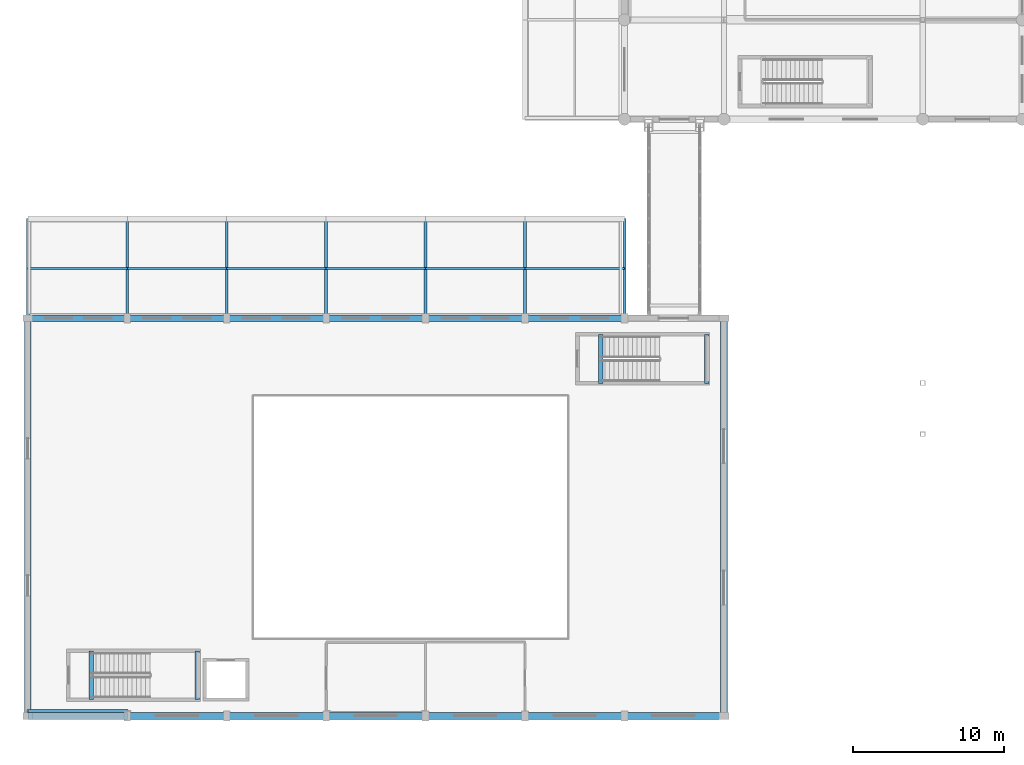
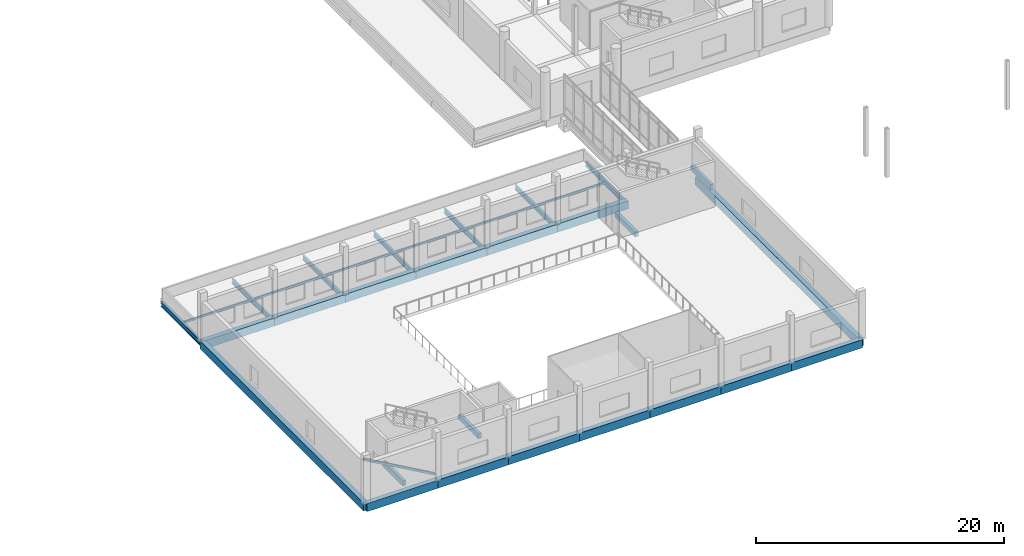
# One storey, part 15 of 125: 26 beams, 7 members.
"""IFC4 building model written with IfcOpenShell, lengths in metres."""

from ifc_helpers import new_model, si_unit, direction, frame, origin, origin_2d, place, context, subcontext, project, spatial, rectangle, hollow_rectangle, i_section, extrude, material, material_profile, profile_set, type_object, element, save


model = new_model("IFC4")

# Units and contexts
model_context = context("Model", 3, precision=1e-05, world=origin(), true_north=direction((0.0, 1.0)))
body_context = subcontext(model_context, "Body", "Model", "MODEL_VIEW")
ifc_project = project(units=[si_unit("LENGTHUNIT", "METRE"), si_unit("AREAUNIT", "SQUARE_METRE"), si_unit("VOLUMEUNIT", "CUBIC_METRE"), si_unit("PLANEANGLEUNIT", "RADIAN"), si_unit("MASSUNIT", "GRAM", prefix="KILO")], contexts=[model_context])

# Site, building, storey
site_placement = place(None, origin())
site = spatial("IfcSite", under=ifc_project, at=site_placement, CompositionType="ELEMENT")
building_placement = place(site_placement, origin())
building = spatial("IfcBuilding", under=site, at=building_placement, Name="Dornvale Research Institute", CompositionType="ELEMENT")
storey_placement = place(building_placement, frame((0.0, 0.0, 5.39990234375)))
storey = spatial("IfcBuildingStorey", under=building, at=storey_placement, Name="L01", CompositionType="ELEMENT", Elevation=5.39990234375)

# Beams
ifc_material_1 = material(Name="Concrete f'c 45 MPa (C35/45)", Category="concrete")
ifc_material_profile_1 = material_profile(ifc_material_1, rectangle(XDim=0.300048828125, YDim=0.5, at=origin_2d()), Name="RC 300x500")
ifc_profile_set_1 = profile_set([ifc_material_profile_1], Name="Concrete f'c 45 MPa (C35/45)")
beam_type_1 = type_object("IfcBeamType", Name="Beam_RC300x500_Trim", PredefinedType="BEAM", material=ifc_profile_set_1)
for number, where, z_axis, x_axis, name in (
    (1, (4.219970703125, 1.080078125, -0.25), (0.0, 1.0, 0.0), (-1.0, 0.0, 0.0), "L01 ST-9 stair landing trimmer beam #109"),
    (2, (11.25, 1.080078125, 1.9501953125), (0.0, 1.0, 0.0), (-1.0, 0.0, 0.0), "L01 ST-9 half-landing support beam #113"),
    (3, (38.02001953125, 22.080078125, -0.25), (0.0, 1.0, 0.0), (-1.0, 0.0, 0.0), "L01 ST-10 stair landing trimmer beam #114"),
    (4, (45.050048828125, 22.080078125, 1.9501953125), (0.0, 1.0, 0.0), (-1.0, 0.0, 0.0), "L01 ST-10 half-landing support beam #118"),
):
    element("IfcBeam", number, at=place(storey_placement, frame(where, z_axis=z_axis, x_axis=x_axis)), inside=storey, type_object=beam_type_1, Name=name, PredefinedType="BEAM", context=body_context, shape_type="SweptSolid", body=[
        extrude(rectangle(XDim=0.300048828125, YDim=0.5, at=origin_2d()), origin(), (0.0, 0.0, 1.0), 3.239990234375),
    ])
ifc_material_2 = material(Name="Steel ASTM A992 Grade 50", Category="steel")
ifc_material_profile_2 = material_profile(ifc_material_2, i_section(OverallWidth=0.19091796875, OverallDepth=0.4599609375, WebThickness=0.010009765625, FlangeThickness=0.01611328125, at=origin_2d()), Name="W18X55")
ifc_profile_set_2 = profile_set([ifc_material_profile_2], Name="Steel ASTM A992 Grade 50")
beam_type_2 = type_object("IfcBeamType", Name="Beam_Steel_W18X55_Canopy", PredefinedType="BEAM", material=ifc_profile_set_2)
for number, where, z_axis, x_axis, name in (
    (5, (0.0, 26.39990234375, -0.429931640625), (0.0, 1.0, 0.0), (-1.0, 0.0, 0.0), "L01 canopy rib beam #1827"),
    (6, (6.60009765625, 26.39990234375, -0.429931640625), (0.0, 1.0, 0.0), (-1.0, 0.0, 0.0), "L01 canopy rib beam #1829"),
    (7, (13.199951171875, 26.39990234375, -0.429931640625), (0.0, 1.0, 0.0), (-1.0, 0.0, 0.0), "L01 canopy rib beam #1831"),
    (8, (19.800048828125, 26.39990234375, -0.429931640625), (0.0, 1.0, 0.0), (-1.0, 0.0, 0.0), "L01 canopy rib beam #1833"),
    (9, (26.39990234375, 26.39990234375, -0.429931640625), (0.0, 1.0, 0.0), (-1.0, 0.0, 0.0), "L01 canopy rib beam #1835"),
    (10, (33.0, 26.39990234375, -0.429931640625), (0.0, 1.0, 0.0), (-1.0, 0.0, 0.0), "L01 canopy rib beam #1837"),
    (11, (39.60009765625, 26.39990234375, -0.429931640625), (0.0, 1.0, 0.0), (-1.0, 0.0, 0.0), "L01 canopy rib beam #1839"),
):
    element("IfcBeam", number, at=place(storey_placement, frame(where, z_axis=z_axis, x_axis=x_axis)), inside=storey, type_object=beam_type_2, Name=name, PredefinedType="BEAM", context=body_context, shape_type="SweptSolid", body=[
        extrude(i_section(OverallWidth=0.19091796875, OverallDepth=0.4599609375, WebThickness=0.010009765625, FlangeThickness=0.01611328125, at=origin_2d()), origin(), (0.0, 0.0, 1.0), 6.60009765625),
    ])

# Members
ifc_material_3 = material(Name="Steel ASTM A500 Grade C", Category="steel")
ifc_material_profile_3 = material_profile(ifc_material_3, hollow_rectangle(XDim=0.202880859375, YDim=0.202880859375, WallThickness=0.0087890625, at=origin_2d()), Name="HSS203X203X9.5")
ifc_profile_set_3 = profile_set([ifc_material_profile_3], Name="Steel ASTM A500 Grade C")
member_type_1 = type_object("IfcMemberType", Name="Brace_HSS203X203_Int", PredefinedType="BRACE", material=ifc_profile_set_3)
member_1_placement = place(storey_placement, frame((6.60009765625, 0.340087890625, 0.300048828125), z_axis=(-0.869459696941, 0.0, 0.494003881964), x_axis=(0.0, -1.0, 0.0)))
element("IfcMember", 12, at=member_1_placement, inside=storey, type_object=member_type_1, Name="L01 seismic diagonal brace #61", PredefinedType="BRACE", context=body_context, shape_type="SweptSolid", body=[
    extrude(hollow_rectangle(XDim=0.202880859375, YDim=0.202880859375, WallThickness=0.0087890625, at=origin_2d()), origin(), (0.0, 0.0, 1.0), 7.591064453125),
])
ifc_material_4 = material(Name="Steel ASTM A500 Grade C", Category="steel")
ifc_material_profile_4 = material_profile(ifc_material_4, hollow_rectangle(XDim=0.126953125, YDim=0.202880859375, WallThickness=0.00732421875, at=origin_2d()), Name="HSS203X127X7.9")
ifc_profile_set_4 = profile_set([ifc_material_profile_4], Name="Steel ASTM A500 Grade C")
member_type_2 = type_object("IfcMemberType", Name="Purlin_HSS203X127_Canopy", PredefinedType="PURLIN", material=ifc_profile_set_4)
member_2_placement = place(storey_placement, frame((0.0, 29.699951171875, -0.301513671875), z_axis=(1.0, 0.0, 0.0), x_axis=(0.0, 1.0, 0.0)))
element("IfcMember", 13, at=member_2_placement, inside=storey, type_object=member_type_2, Name="Colonnade canopy purlin #1", PredefinedType="PURLIN", context=body_context, shape_type="SweptSolid", body=[
    extrude(hollow_rectangle(XDim=0.126953125, YDim=0.202880859375, WallThickness=0.00732421875, at=origin_2d()), origin(), (0.0, 0.0, 1.0), 6.60009765625),
])
member_3_placement = place(storey_placement, frame((6.60009765625, 29.699951171875, -0.301513671875), z_axis=(1.0, 0.0, 0.0), x_axis=(0.0, 1.0, 0.0)))
element("IfcMember", 14, at=member_3_placement, inside=storey, type_object=member_type_2, Name="Colonnade canopy purlin #2", PredefinedType="PURLIN", context=body_context, shape_type="SweptSolid", body=[
    extrude(hollow_rectangle(XDim=0.126953125, YDim=0.202880859375, WallThickness=0.00732421875, at=origin_2d()), origin(), (0.0, 0.0, 1.0), 6.599853515625),
])
member_4_placement = place(storey_placement, frame((13.199951171875, 29.699951171875, -0.301513671875), z_axis=(1.0, 0.0, 0.0), x_axis=(0.0, 1.0, 0.0)))
element("IfcMember", 15, at=member_4_placement, inside=storey, type_object=member_type_2, Name="Colonnade canopy purlin #3", PredefinedType="PURLIN", context=body_context, shape_type="SweptSolid", body=[
    extrude(hollow_rectangle(XDim=0.126953125, YDim=0.202880859375, WallThickness=0.00732421875, at=origin_2d()), origin(), (0.0, 0.0, 1.0), 6.60009765625),
])
member_5_placement = place(storey_placement, frame((19.800048828125, 29.699951171875, -0.301513671875), z_axis=(1.0, 0.0, 0.0), x_axis=(0.0, 1.0, 0.0)))
element("IfcMember", 16, at=member_5_placement, inside=storey, type_object=member_type_2, Name="Colonnade canopy purlin #4", PredefinedType="PURLIN", context=body_context, shape_type="SweptSolid", body=[
    extrude(hollow_rectangle(XDim=0.126953125, YDim=0.202880859375, WallThickness=0.00732421875, at=origin_2d()), origin(), (0.0, 0.0, 1.0), 6.599853515625),
])
for number, where, z_axis, x_axis, name in (
    (17, (26.39990234375, 29.699951171875, -0.301513671875), (1.0, 0.0, 0.0), (0.0, 1.0, 0.0), "Colonnade canopy purlin #5"),
    (18, (33.0, 29.699951171875, -0.301513671875), (1.0, 0.0, 0.0), (0.0, 1.0, 0.0), "Colonnade canopy purlin #6"),
):
    element("IfcMember", number, at=place(storey_placement, frame(where, z_axis=z_axis, x_axis=x_axis)), inside=storey, type_object=member_type_2, Name=name, PredefinedType="PURLIN", context=body_context, shape_type="SweptSolid", body=[
        extrude(hollow_rectangle(XDim=0.126953125, YDim=0.202880859375, WallThickness=0.00732421875, at=origin_2d()), origin(), (0.0, 0.0, 1.0), 6.60009765625),
    ])

# Beams
ifc_material_5 = material(Name="Concrete f'c 45 MPa (C35/45)", Category="concrete")
ifc_material_profile_5 = material_profile(ifc_material_5, rectangle(XDim=0.449951171875, YDim=0.800048828125, at=origin_2d()), Name="RC 450x800")
ifc_profile_set_5 = profile_set([ifc_material_profile_5], Name="Concrete f'c 45 MPa (C35/45)")
beam_type_3 = type_object("IfcBeamType", Name="Spandrel_RC450x800_Ext", PredefinedType="SPANDREL", material=ifc_profile_set_5)
beam_1_placement = place(storey_placement, frame((0.0, 0.0, -0.39990234375), z_axis=(1.0, 0.0, 0.0), x_axis=(0.0, 1.0, 0.0)))
element("IfcBeam", 19, at=beam_1_placement, inside=storey, type_object=beam_type_3, Name="L01 perimeter spandrel #552", PredefinedType="SPANDREL", context=body_context, shape_type="SweptSolid", body=[
    extrude(rectangle(XDim=0.449951171875, YDim=0.800048828125, at=origin_2d()), origin(), (0.0, 0.0, 1.0), 6.60009765625),
])
beam_2_placement = place(storey_placement, frame((6.60009765625, 0.0, -0.39990234375), z_axis=(1.0, 0.0, 0.0), x_axis=(0.0, 1.0, 0.0)))
element("IfcBeam", 20, at=beam_2_placement, inside=storey, type_object=beam_type_3, Name="L01 perimeter spandrel #553", PredefinedType="SPANDREL", context=body_context, shape_type="SweptSolid", body=[
    extrude(rectangle(XDim=0.449951171875, YDim=0.800048828125, at=origin_2d()), origin(), (0.0, 0.0, 1.0), 6.599853515625),
])
beam_3_placement = place(storey_placement, frame((13.199951171875, 0.0, -0.39990234375), z_axis=(1.0, 0.0, 0.0), x_axis=(0.0, 1.0, 0.0)))
element("IfcBeam", 21, at=beam_3_placement, inside=storey, type_object=beam_type_3, Name="L01 perimeter spandrel #554", PredefinedType="SPANDREL", context=body_context, shape_type="SweptSolid", body=[
    extrude(rectangle(XDim=0.449951171875, YDim=0.800048828125, at=origin_2d()), origin(), (0.0, 0.0, 1.0), 6.60009765625),
])
beam_4_placement = place(storey_placement, frame((19.800048828125, 0.0, -0.39990234375), z_axis=(1.0, 0.0, 0.0), x_axis=(0.0, 1.0, 0.0)))
element("IfcBeam", 22, at=beam_4_placement, inside=storey, type_object=beam_type_3, Name="L01 perimeter spandrel #555", PredefinedType="SPANDREL", context=body_context, shape_type="SweptSolid", body=[
    extrude(rectangle(XDim=0.449951171875, YDim=0.800048828125, at=origin_2d()), origin(), (0.0, 0.0, 1.0), 6.599853515625),
])
for number, where, z_axis, x_axis, name in (
    (23, (26.39990234375, 0.0, -0.39990234375), (1.0, 0.0, 0.0), (0.0, 1.0, 0.0), "L01 perimeter spandrel #556"),
    (24, (33.0, 0.0, -0.39990234375), (1.0, 0.0, 0.0), (0.0, 1.0, 0.0), "L01 perimeter spandrel #557"),
):
    element("IfcBeam", number, at=place(storey_placement, frame(where, z_axis=z_axis, x_axis=x_axis)), inside=storey, type_object=beam_type_3, Name=name, PredefinedType="SPANDREL", context=body_context, shape_type="SweptSolid", body=[
        extrude(rectangle(XDim=0.449951171875, YDim=0.800048828125, at=origin_2d()), origin(), (0.0, 0.0, 1.0), 6.60009765625),
    ])
beam_5_placement = place(storey_placement, frame((39.60009765625, 0.0, -0.39990234375), z_axis=(1.0, 0.0, 0.0), x_axis=(0.0, 1.0, 0.0)))
element("IfcBeam", 25, at=beam_5_placement, inside=storey, type_object=beam_type_3, Name="L01 perimeter spandrel #558", PredefinedType="SPANDREL", context=body_context, shape_type="SweptSolid", body=[
    extrude(rectangle(XDim=0.449951171875, YDim=0.800048828125, at=origin_2d()), origin(), (0.0, 0.0, 1.0), 6.599853515625),
])
beam_6_placement = place(storey_placement, frame((0.0, 26.39990234375, -0.39990234375), z_axis=(1.0, 0.0, 0.0), x_axis=(0.0, 1.0, 0.0)))
element("IfcBeam", 26, at=beam_6_placement, inside=storey, type_object=beam_type_3, Name="L01 perimeter spandrel #559", PredefinedType="SPANDREL", context=body_context, shape_type="SweptSolid", body=[
    extrude(rectangle(XDim=0.449951171875, YDim=0.800048828125, at=origin_2d()), origin(), (0.0, 0.0, 1.0), 6.60009765625),
])
beam_7_placement = place(storey_placement, frame((6.60009765625, 26.39990234375, -0.39990234375), z_axis=(1.0, 0.0, 0.0), x_axis=(0.0, 1.0, 0.0)))
element("IfcBeam", 27, at=beam_7_placement, inside=storey, type_object=beam_type_3, Name="L01 perimeter spandrel #560", PredefinedType="SPANDREL", context=body_context, shape_type="SweptSolid", body=[
    extrude(rectangle(XDim=0.449951171875, YDim=0.800048828125, at=origin_2d()), origin(), (0.0, 0.0, 1.0), 6.599853515625),
])
beam_8_placement = place(storey_placement, frame((13.199951171875, 26.39990234375, -0.39990234375), z_axis=(1.0, 0.0, 0.0), x_axis=(0.0, 1.0, 0.0)))
element("IfcBeam", 28, at=beam_8_placement, inside=storey, type_object=beam_type_3, Name="L01 perimeter spandrel #561", PredefinedType="SPANDREL", context=body_context, shape_type="SweptSolid", body=[
    extrude(rectangle(XDim=0.449951171875, YDim=0.800048828125, at=origin_2d()), origin(), (0.0, 0.0, 1.0), 6.60009765625),
])
beam_9_placement = place(storey_placement, frame((19.800048828125, 26.39990234375, -0.39990234375), z_axis=(1.0, 0.0, 0.0), x_axis=(0.0, 1.0, 0.0)))
element("IfcBeam", 29, at=beam_9_placement, inside=storey, type_object=beam_type_3, Name="L01 perimeter spandrel #562", PredefinedType="SPANDREL", context=body_context, shape_type="SweptSolid", body=[
    extrude(rectangle(XDim=0.449951171875, YDim=0.800048828125, at=origin_2d()), origin(), (0.0, 0.0, 1.0), 6.599853515625),
])
for number, where, z_axis, x_axis, name in (
    (30, (26.39990234375, 26.39990234375, -0.39990234375), (1.0, 0.0, 0.0), (0.0, 1.0, 0.0), "L01 perimeter spandrel #563"),
    (31, (33.0, 26.39990234375, -0.39990234375), (1.0, 0.0, 0.0), (0.0, 1.0, 0.0), "L01 perimeter spandrel #564"),
):
    element("IfcBeam", number, at=place(storey_placement, frame(where, z_axis=z_axis, x_axis=x_axis)), inside=storey, type_object=beam_type_3, Name=name, PredefinedType="SPANDREL", context=body_context, shape_type="SweptSolid", body=[
        extrude(rectangle(XDim=0.449951171875, YDim=0.800048828125, at=origin_2d()), origin(), (0.0, 0.0, 1.0), 6.60009765625),
    ])
for number, where, z_axis, x_axis, name in (
    (32, (0.0, 0.0, -0.39990234375), (0.0, 1.0, 0.0), (-1.0, 0.0, 0.0), "L01 perimeter spandrel #566"),
    (33, (46.199951171875, 0.0, -0.39990234375), (0.0, 1.0, 0.0), (-1.0, 0.0, 0.0), "L01 perimeter spandrel #567"),
):
    element("IfcBeam", number, at=place(storey_placement, frame(where, z_axis=z_axis, x_axis=x_axis)), inside=storey, type_object=beam_type_3, Name=name, PredefinedType="SPANDREL", context=body_context, shape_type="SweptSolid", body=[
        extrude(rectangle(XDim=0.449951171875, YDim=0.800048828125, at=origin_2d()), origin(), (0.0, 0.0, 1.0), 26.39990234375),
    ])

save(model, "model.ifc")
